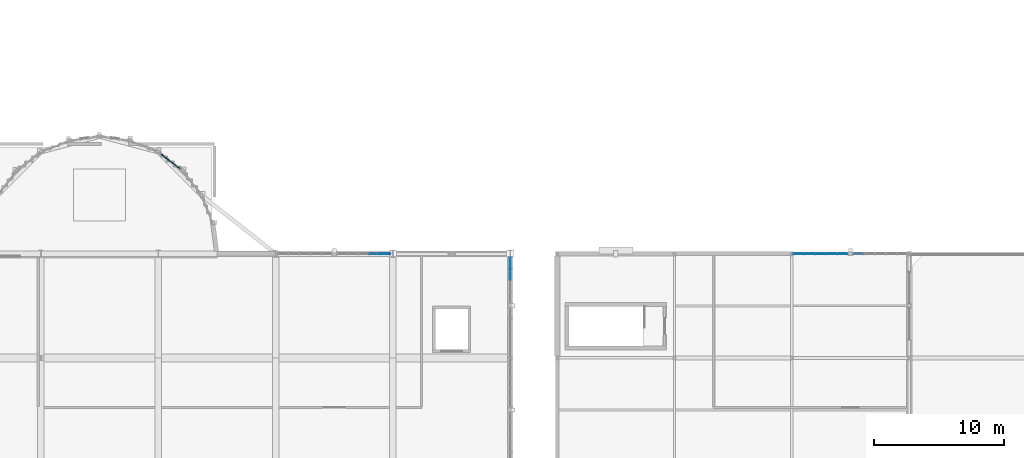
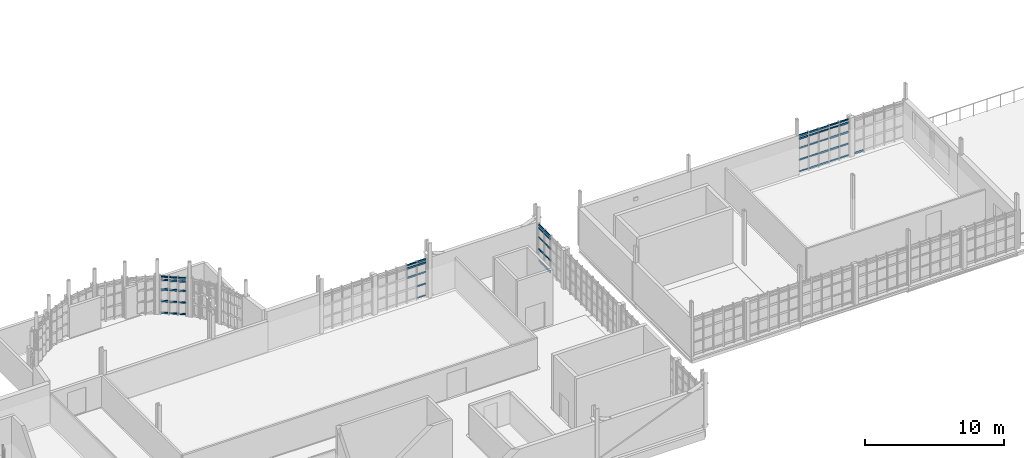
# One storey, part 74 of 128: 59 members, 5 elements without a shape of their own.
"""IFC4 building model written with IfcOpenShell, lengths in metres."""

from ifc_helpers import new_model, si_unit, direction, frame, origin, origin_2d, place, context, subcontext, project, spatial, rectangle, extrude, material, material_profile, profile_set, type_object, element, aggregate, save


model = new_model("IFC4")

# Units and contexts
model_context = context("Model", 3, precision=1e-05, world=origin(), true_north=direction((0.0, 1.0)))
body_context = subcontext(model_context, "Body", "Model", "MODEL_VIEW")
ifc_project = project(units=[si_unit("LENGTHUNIT", "METRE"), si_unit("AREAUNIT", "SQUARE_METRE"), si_unit("VOLUMEUNIT", "CUBIC_METRE"), si_unit("PLANEANGLEUNIT", "RADIAN"), si_unit("MASSUNIT", "GRAM", prefix="KILO")], contexts=[model_context])

# Site, building, storey
site_placement = place(None, origin())
site = spatial("IfcSite", under=ifc_project, at=site_placement, CompositionType="ELEMENT")
building_placement = place(site_placement, origin())
building = spatial("IfcBuilding", under=site, at=building_placement, Name="Serraforn Aerial Cableway Station", CompositionType="ELEMENT")
storey_placement = place(building_placement, frame((0.0, 0.0, 9.0)))
storey = spatial("IfcBuildingStorey", under=building, at=storey_placement, Name="L02", CompositionType="ELEMENT", Elevation=9.0)

# Curtain wall, members
ifc_material_1 = material(Name="Anodised bronze unitised curtain wall")
curtain_wall_type_1 = type_object("IfcCurtainWallType", Name="CW-SYS-25", PredefinedType="USERDEFINED", material=ifc_material_1)
curtain_wall_1_placement = place(storey_placement, origin())
curtain_wall_1 = element("IfcCurtainWall", 1, at=curtain_wall_1_placement, inside=storey, type_object=curtain_wall_type_1, Name="Unitised Curtain Wall CW-CV-L02-N6A", ObjectType="UNITISED CURTAIN WALL", PredefinedType="USERDEFINED")
ifc_material_2 = material(Name="Anodised bronze extruded aluminium", Category="aluminium")
ifc_material_profile_1 = material_profile(ifc_material_2, rectangle(XDim=0.054931640625, YDim=0.110107421875, at=origin_2d()), Name="CW TRANSOM 55x110")
ifc_profile_set_1 = profile_set([ifc_material_profile_1], Name="Anodised bronze extruded aluminium")
member_type_1 = type_object("IfcMemberType", Name="CW-TRN-1", PredefinedType="USERDEFINED", material=ifc_profile_set_1)
member_1_placement = place(storey_placement, frame((81.37890625, 42.0, 0.13671875), z_axis=(-1.0, 0.0, 0.0), x_axis=(0.0, -1.0, 0.0)))
member_1 = element("IfcMember", 2, at=member_1_placement, type_object=member_type_1, Name="Curtain Wall Transom CW-CV-L02-N6A-T1-1", ObjectType="TRANSOM", PredefinedType="USERDEFINED", context=body_context, shape_type="SweptSolid", body=[
    extrude(rectangle(XDim=0.054931640625, YDim=0.110107421875, at=origin_2d()), origin(), (0.0, 0.0, 1.0), 0.73583984375),
])
member_2_placement = place(storey_placement, frame((80.592041015625, 42.0, 3.283203125), z_axis=(-1.0, 0.0, 0.0), x_axis=(0.0, -1.0, 0.0)))
member_2 = element("IfcMember", 3, at=member_2_placement, type_object=member_type_1, Name="Curtain Wall Transom CW-CV-L02-N6A-T2-5", ObjectType="TRANSOM", PredefinedType="USERDEFINED", context=body_context, shape_type="SweptSolid", body=[
    extrude(rectangle(XDim=0.054931640625, YDim=0.110107421875, at=origin_2d()), origin(), (0.0, 0.0, 1.0), 0.78076171875),
])

curtain_wall_type_2 = type_object("IfcCurtainWallType", Name="CW-SYS-4", PredefinedType="USERDEFINED", material=ifc_material_1)
curtain_wall_2_placement = place(storey_placement, origin())
curtain_wall_2 = element("IfcCurtainWall", 4, at=curtain_wall_2_placement, inside=storey, type_object=curtain_wall_type_2, Name="Unitised Curtain Wall CW-CV-L02-E3B", ObjectType="UNITISED CURTAIN WALL", PredefinedType="USERDEFINED")
member_3_placement = place(storey_placement, frame((90.60009765625, 39.986572265625, 1.162841796875), z_axis=(0.0, 1.0, 0.0), x_axis=(-1.0, 0.0, 0.0)))
member_3 = element("IfcMember", 5, at=member_3_placement, type_object=member_type_1, Name="Curtain Wall Transom CW-CV-L02-E3B-T3-2", ObjectType="TRANSOM", PredefinedType="USERDEFINED", context=body_context, shape_type="SweptSolid", body=[
    extrude(rectangle(XDim=0.054931640625, YDim=0.110107421875, at=origin_2d()), origin(), (0.0, 0.0, 1.0), 0.818115234375),
])
member_4_placement = place(storey_placement, frame((90.60009765625, 40.875732421875, 0.13671875), z_axis=(0.0, 1.0, 0.0), x_axis=(-1.0, 0.0, 0.0)))
member_4 = element("IfcMember", 6, at=member_4_placement, type_object=member_type_1, Name="Curtain Wall Transom CW-CV-L02-E3B-T4-1", ObjectType="TRANSOM", PredefinedType="USERDEFINED", context=body_context, shape_type="SweptSolid", body=[
    extrude(rectangle(XDim=0.054931640625, YDim=0.110107421875, at=origin_2d()), origin(), (0.0, 0.0, 1.0), 0.79833984375),
])

curtain_wall_type_3 = type_object("IfcCurtainWallType", Name="CW-SYS-12", PredefinedType="USERDEFINED", material=ifc_material_1)
curtain_wall_3_placement = place(storey_placement, origin())
curtain_wall_3 = element("IfcCurtainWall", 7, at=curtain_wall_3_placement, inside=storey, type_object=curtain_wall_type_3, Name="Unitised Curtain Wall CW-AP-L02-R9", ObjectType="UNITISED CURTAIN WALL", PredefinedType="USERDEFINED")
member_5_placement = place(storey_placement, frame((65.255859375, 48.523681640625, 0.13671875), z_axis=(-0.793500799504, 0.608569208214, 0.0), x_axis=(-0.608569208214, -0.793500799504, 0.0)))
member_5 = element("IfcMember", 8, at=member_5_placement, type_object=member_type_1, Name="Curtain Wall Transom CW-AP-L02-R9-T1-1", ObjectType="TRANSOM", PredefinedType="USERDEFINED", context=body_context, shape_type="SweptSolid", body=[
    extrude(rectangle(XDim=0.054931640625, YDim=0.110107421875, at=origin_2d()), origin(), (0.0, 0.0, 1.0), 0.558349609375),
])
member_6_placement = place(storey_placement, frame((64.772216796875, 48.894775390625, 3.283203125), z_axis=(-0.79334569595, 0.608771391178, 0.0), x_axis=(-0.608771391178, -0.79334569595, 0.0)))
member_6 = element("IfcMember", 9, at=member_6_placement, type_object=member_type_1, Name="Curtain Wall Transom CW-AP-L02-R9-T2-5", ObjectType="TRANSOM", PredefinedType="USERDEFINED", context=body_context, shape_type="SweptSolid", body=[
    extrude(rectangle(XDim=0.054931640625, YDim=0.110107421875, at=origin_2d()), origin(), (0.0, 0.0, 1.0), 0.603271484375),
])
member_7_placement = place(storey_placement, frame((64.249267578125, 49.296142578125, 3.009521484375), z_axis=(-0.79358552413, 0.6084587216, 0.0), x_axis=(-0.6084587216, -0.79358552413, 0.0)))
member_7 = element("IfcMember", 10, at=member_7_placement, type_object=member_type_1, Name="Curtain Wall Transom CW-AP-L02-R9-T3-4", ObjectType="TRANSOM", PredefinedType="USERDEFINED", context=body_context, shape_type="SweptSolid", body=[
    extrude(rectangle(XDim=0.054931640625, YDim=0.110107421875, at=origin_2d()), origin(), (0.0, 0.0, 1.0), 0.565673828125),
])

curtain_wall_type_4 = type_object("IfcCurtainWallType", Name="CW-SYS-2", PredefinedType="USERDEFINED", material=ifc_material_1)
curtain_wall_4_placement = place(storey_placement, origin())
curtain_wall_4 = element("IfcCurtainWall", 11, at=curtain_wall_4_placement, inside=storey, type_object=curtain_wall_type_4, Name="Unitised Curtain Wall CW-EL-L02-N3B", ObjectType="UNITISED CURTAIN WALL", PredefinedType="USERDEFINED")
member_8_placement = place(storey_placement, frame((116.467041015625, 42.0, 3.283203125), z_axis=(-1.0, 0.0, 0.0), x_axis=(0.0, -1.0, 0.0)))
member_8 = element("IfcMember", 12, at=member_8_placement, type_object=member_type_1, Name="Curtain Wall Transom CW-EL-L02-N3B-T1-5", ObjectType="TRANSOM", PredefinedType="USERDEFINED", context=body_context, shape_type="SweptSolid", body=[
    extrude(rectangle(XDim=0.054931640625, YDim=0.110107421875, at=origin_2d()), origin(), (0.0, 0.0, 1.0), 0.763427734375),
])
member_9_placement = place(storey_placement, frame((115.647705078125, 42.0, 3.009521484375), z_axis=(-1.0, 0.0, 0.0), x_axis=(0.0, -1.0, 0.0)))
member_9 = element("IfcMember", 13, at=member_9_placement, type_object=member_type_1, Name="Curtain Wall Transom CW-EL-L02-N3B-T2-4", ObjectType="TRANSOM", PredefinedType="USERDEFINED", context=body_context, shape_type="SweptSolid", body=[
    extrude(rectangle(XDim=0.054931640625, YDim=0.110107421875, at=origin_2d()), origin(), (0.0, 0.0, 1.0), 0.785888671875),
])
member_10_placement = place(storey_placement, frame((114.80078125, 42.0, 2.188720703125), z_axis=(-1.0, 0.0, 0.0), x_axis=(0.0, -1.0, 0.0)))
member_10 = element("IfcMember", 14, at=member_10_placement, type_object=member_type_1, Name="Curtain Wall Transom CW-EL-L02-N3B-T3-3", ObjectType="TRANSOM", PredefinedType="USERDEFINED", context=body_context, shape_type="SweptSolid", body=[
    extrude(rectangle(XDim=0.054931640625, YDim=0.110107421875, at=origin_2d()), origin(), (0.0, 0.0, 1.0), 0.781005859375),
])
member_11_placement = place(storey_placement, frame((113.953857421875, 42.0, 1.162841796875), z_axis=(-1.0, 0.0, 0.0), x_axis=(0.0, -1.0, 0.0)))
member_11 = element("IfcMember", 15, at=member_11_placement, type_object=member_type_1, Name="Curtain Wall Transom CW-EL-L02-N3B-T4-2", ObjectType="TRANSOM", PredefinedType="USERDEFINED", context=body_context, shape_type="SweptSolid", body=[
    extrude(rectangle(XDim=0.054931640625, YDim=0.110107421875, at=origin_2d()), origin(), (0.0, 0.0, 1.0), 0.77587890625),
])
member_12_placement = place(storey_placement, frame((113.10693359375, 42.0, 0.13671875), z_axis=(-1.0, 0.0, 0.0), x_axis=(0.0, -1.0, 0.0)))
member_12 = element("IfcMember", 16, at=member_12_placement, type_object=member_type_1, Name="Curtain Wall Transom CW-EL-L02-N3B-T5-1", ObjectType="TRANSOM", PredefinedType="USERDEFINED", context=body_context, shape_type="SweptSolid", body=[
    extrude(rectangle(XDim=0.054931640625, YDim=0.110107421875, at=origin_2d()), origin(), (0.0, 0.0, 1.0), 0.755859375),
])

# Member
ifc_material_profile_2 = material_profile(ifc_material_2, rectangle(XDim=0.06005859375, YDim=0.1201171875, at=origin_2d()), Name="CW TRANSOM 60x120")
ifc_profile_set_2 = profile_set([ifc_material_profile_2], Name="Anodised bronze extruded aluminium")
member_type_2 = type_object("IfcMemberType", Name="CW-TRN-2", PredefinedType="USERDEFINED", material=ifc_profile_set_2)
member_13_placement = place(storey_placement, frame((81.37890625, 42.0, 1.162841796875), z_axis=(-1.0, 0.0, 0.0), x_axis=(0.0, -1.0, 0.0)))
member_13 = element("IfcMember", 17, at=member_13_placement, type_object=member_type_2, Name="Curtain Wall Transom CW-CV-L02-N6A-T1-2", ObjectType="TRANSOM", PredefinedType="USERDEFINED", context=body_context, shape_type="SweptSolid", body=[
    extrude(rectangle(XDim=0.06005859375, YDim=0.1201171875, at=origin_2d()), origin(), (0.0, 0.0, 1.0), 0.73583984375),
])

member_14_placement = place(storey_placement, frame((90.60009765625, 39.986572265625, 2.188720703125), z_axis=(0.0, 1.0, 0.0), x_axis=(-1.0, 0.0, 0.0)))
member_14 = element("IfcMember", 18, at=member_14_placement, type_object=member_type_2, Name="Curtain Wall Transom CW-CV-L02-E3B-T3-3", ObjectType="TRANSOM", PredefinedType="USERDEFINED", context=body_context, shape_type="SweptSolid", body=[
    extrude(rectangle(XDim=0.06005859375, YDim=0.1201171875, at=origin_2d()), origin(), (0.0, 0.0, 1.0), 0.818115234375),
])

member_15_placement = place(storey_placement, frame((90.60009765625, 40.875732421875, 1.162841796875), z_axis=(0.0, 1.0, 0.0), x_axis=(-1.0, 0.0, 0.0)))
member_15 = element("IfcMember", 19, at=member_15_placement, type_object=member_type_2, Name="Curtain Wall Transom CW-CV-L02-E3B-T4-2", ObjectType="TRANSOM", PredefinedType="USERDEFINED", context=body_context, shape_type="SweptSolid", body=[
    extrude(rectangle(XDim=0.06005859375, YDim=0.1201171875, at=origin_2d()), origin(), (0.0, 0.0, 1.0), 0.79833984375),
])

member_16_placement = place(storey_placement, frame((65.255859375, 48.523681640625, 1.162841796875), z_axis=(-0.793500799504, 0.608569208214, 0.0), x_axis=(-0.608569208214, -0.793500799504, 0.0)))
member_16 = element("IfcMember", 20, at=member_16_placement, type_object=member_type_2, Name="Curtain Wall Transom CW-AP-L02-R9-T1-2", ObjectType="TRANSOM", PredefinedType="USERDEFINED", context=body_context, shape_type="SweptSolid", body=[
    extrude(rectangle(XDim=0.06005859375, YDim=0.1201171875, at=origin_2d()), origin(), (0.0, 0.0, 1.0), 0.558349609375),
])

member_17_placement = place(storey_placement, frame((64.772216796875, 48.894775390625, 0.13671875), z_axis=(-0.79334569595, 0.608771391178, 0.0), x_axis=(-0.608771391178, -0.79334569595, 0.0)))
member_17 = element("IfcMember", 21, at=member_17_placement, type_object=member_type_2, Name="Curtain Wall Transom CW-AP-L02-R9-T2-1", ObjectType="TRANSOM", PredefinedType="USERDEFINED", context=body_context, shape_type="SweptSolid", body=[
    extrude(rectangle(XDim=0.06005859375, YDim=0.1201171875, at=origin_2d()), origin(), (0.0, 0.0, 1.0), 0.603271484375),
])

member_18_placement = place(storey_placement, frame((64.249267578125, 49.296142578125, 3.283203125), z_axis=(-0.79358552413, 0.6084587216, 0.0), x_axis=(-0.6084587216, -0.79358552413, 0.0)))
member_18 = element("IfcMember", 22, at=member_18_placement, type_object=member_type_2, Name="Curtain Wall Transom CW-AP-L02-R9-T3-5", ObjectType="TRANSOM", PredefinedType="USERDEFINED", context=body_context, shape_type="SweptSolid", body=[
    extrude(rectangle(XDim=0.06005859375, YDim=0.1201171875, at=origin_2d()), origin(), (0.0, 0.0, 1.0), 0.565673828125),
])

member_19_placement = place(storey_placement, frame((116.467041015625, 42.0, 0.13671875), z_axis=(-1.0, 0.0, 0.0), x_axis=(0.0, -1.0, 0.0)))
member_19 = element("IfcMember", 23, at=member_19_placement, type_object=member_type_2, Name="Curtain Wall Transom CW-EL-L02-N3B-T1-1", ObjectType="TRANSOM", PredefinedType="USERDEFINED", context=body_context, shape_type="SweptSolid", body=[
    extrude(rectangle(XDim=0.06005859375, YDim=0.1201171875, at=origin_2d()), origin(), (0.0, 0.0, 1.0), 0.763427734375),
])

member_20_placement = place(storey_placement, frame((115.647705078125, 42.0, 3.283203125), z_axis=(-1.0, 0.0, 0.0), x_axis=(0.0, -1.0, 0.0)))
member_20 = element("IfcMember", 24, at=member_20_placement, type_object=member_type_2, Name="Curtain Wall Transom CW-EL-L02-N3B-T2-5", ObjectType="TRANSOM", PredefinedType="USERDEFINED", context=body_context, shape_type="SweptSolid", body=[
    extrude(rectangle(XDim=0.06005859375, YDim=0.1201171875, at=origin_2d()), origin(), (0.0, 0.0, 1.0), 0.785888671875),
])

member_21_placement = place(storey_placement, frame((114.80078125, 42.0, 3.009521484375), z_axis=(-1.0, 0.0, 0.0), x_axis=(0.0, -1.0, 0.0)))
member_21 = element("IfcMember", 25, at=member_21_placement, type_object=member_type_2, Name="Curtain Wall Transom CW-EL-L02-N3B-T3-4", ObjectType="TRANSOM", PredefinedType="USERDEFINED", context=body_context, shape_type="SweptSolid", body=[
    extrude(rectangle(XDim=0.06005859375, YDim=0.1201171875, at=origin_2d()), origin(), (0.0, 0.0, 1.0), 0.781005859375),
])

member_22_placement = place(storey_placement, frame((113.953857421875, 42.0, 2.188720703125), z_axis=(-1.0, 0.0, 0.0), x_axis=(0.0, -1.0, 0.0)))
member_22 = element("IfcMember", 26, at=member_22_placement, type_object=member_type_2, Name="Curtain Wall Transom CW-EL-L02-N3B-T4-3", ObjectType="TRANSOM", PredefinedType="USERDEFINED", context=body_context, shape_type="SweptSolid", body=[
    extrude(rectangle(XDim=0.06005859375, YDim=0.1201171875, at=origin_2d()), origin(), (0.0, 0.0, 1.0), 0.77587890625),
])

member_23_placement = place(storey_placement, frame((113.10693359375, 42.0, 1.162841796875), z_axis=(-1.0, 0.0, 0.0), x_axis=(0.0, -1.0, 0.0)))
member_23 = element("IfcMember", 27, at=member_23_placement, type_object=member_type_2, Name="Curtain Wall Transom CW-EL-L02-N3B-T5-2", ObjectType="TRANSOM", PredefinedType="USERDEFINED", context=body_context, shape_type="SweptSolid", body=[
    extrude(rectangle(XDim=0.06005859375, YDim=0.1201171875, at=origin_2d()), origin(), (0.0, 0.0, 1.0), 0.755859375),
])

ifc_material_profile_3 = material_profile(ifc_material_2, rectangle(XDim=0.06494140625, YDim=0.135009765625, at=origin_2d()), Name="CW TRANSOM 65x135")
ifc_profile_set_3 = profile_set([ifc_material_profile_3], Name="Anodised bronze extruded aluminium")
member_type_3 = type_object("IfcMemberType", Name="CW-TRN-3", PredefinedType="USERDEFINED", material=ifc_profile_set_3)
member_24_placement = place(storey_placement, frame((81.37890625, 42.0, 2.188720703125), z_axis=(-1.0, 0.0, 0.0), x_axis=(0.0, -1.0, 0.0)))
member_24 = element("IfcMember", 28, at=member_24_placement, type_object=member_type_3, Name="Curtain Wall Transom CW-CV-L02-N6A-T1-3", ObjectType="TRANSOM", PredefinedType="USERDEFINED", context=body_context, shape_type="SweptSolid", body=[
    extrude(rectangle(XDim=0.06494140625, YDim=0.135009765625, at=origin_2d()), origin(), (0.0, 0.0, 1.0), 0.73583984375),
])

member_25_placement = place(storey_placement, frame((90.60009765625, 39.986572265625, 3.009521484375), z_axis=(0.0, 1.0, 0.0), x_axis=(-1.0, 0.0, 0.0)))
member_25 = element("IfcMember", 29, at=member_25_placement, type_object=member_type_3, Name="Curtain Wall Transom CW-CV-L02-E3B-T3-4", ObjectType="TRANSOM", PredefinedType="USERDEFINED", context=body_context, shape_type="SweptSolid", body=[
    extrude(rectangle(XDim=0.06494140625, YDim=0.135009765625, at=origin_2d()), origin(), (0.0, 0.0, 1.0), 0.818115234375),
])

member_26_placement = place(storey_placement, frame((90.60009765625, 40.875732421875, 2.188720703125), z_axis=(0.0, 1.0, 0.0), x_axis=(-1.0, 0.0, 0.0)))
member_26 = element("IfcMember", 30, at=member_26_placement, type_object=member_type_3, Name="Curtain Wall Transom CW-CV-L02-E3B-T4-3", ObjectType="TRANSOM", PredefinedType="USERDEFINED", context=body_context, shape_type="SweptSolid", body=[
    extrude(rectangle(XDim=0.06494140625, YDim=0.135009765625, at=origin_2d()), origin(), (0.0, 0.0, 1.0), 0.79833984375),
])

member_27_placement = place(storey_placement, frame((65.255859375, 48.523681640625, 2.188720703125), z_axis=(-0.793500799504, 0.608569208214, 0.0), x_axis=(-0.608569208214, -0.793500799504, 0.0)))
member_27 = element("IfcMember", 31, at=member_27_placement, type_object=member_type_3, Name="Curtain Wall Transom CW-AP-L02-R9-T1-3", ObjectType="TRANSOM", PredefinedType="USERDEFINED", context=body_context, shape_type="SweptSolid", body=[
    extrude(rectangle(XDim=0.06494140625, YDim=0.135009765625, at=origin_2d()), origin(), (0.0, 0.0, 1.0), 0.558349609375),
])

member_28_placement = place(storey_placement, frame((64.772216796875, 48.894775390625, 1.162841796875), z_axis=(-0.79334569595, 0.608771391178, 0.0), x_axis=(-0.608771391178, -0.79334569595, 0.0)))
member_28 = element("IfcMember", 32, at=member_28_placement, type_object=member_type_3, Name="Curtain Wall Transom CW-AP-L02-R9-T2-2", ObjectType="TRANSOM", PredefinedType="USERDEFINED", context=body_context, shape_type="SweptSolid", body=[
    extrude(rectangle(XDim=0.06494140625, YDim=0.135009765625, at=origin_2d()), origin(), (0.0, 0.0, 1.0), 0.603271484375),
])

member_29_placement = place(storey_placement, frame((64.249267578125, 49.296142578125, 0.13671875), z_axis=(-0.79358552413, 0.6084587216, 0.0), x_axis=(-0.6084587216, -0.79358552413, 0.0)))
member_29 = element("IfcMember", 33, at=member_29_placement, type_object=member_type_3, Name="Curtain Wall Transom CW-AP-L02-R9-T3-1", ObjectType="TRANSOM", PredefinedType="USERDEFINED", context=body_context, shape_type="SweptSolid", body=[
    extrude(rectangle(XDim=0.06494140625, YDim=0.135009765625, at=origin_2d()), origin(), (0.0, 0.0, 1.0), 0.565673828125),
])

member_30_placement = place(storey_placement, frame((116.467041015625, 42.0, 1.162841796875), z_axis=(-1.0, 0.0, 0.0), x_axis=(0.0, -1.0, 0.0)))
member_30 = element("IfcMember", 34, at=member_30_placement, type_object=member_type_3, Name="Curtain Wall Transom CW-EL-L02-N3B-T1-2", ObjectType="TRANSOM", PredefinedType="USERDEFINED", context=body_context, shape_type="SweptSolid", body=[
    extrude(rectangle(XDim=0.06494140625, YDim=0.135009765625, at=origin_2d()), origin(), (0.0, 0.0, 1.0), 0.763427734375),
])

member_31_placement = place(storey_placement, frame((115.647705078125, 42.0, 0.13671875), z_axis=(-1.0, 0.0, 0.0), x_axis=(0.0, -1.0, 0.0)))
member_31 = element("IfcMember", 35, at=member_31_placement, type_object=member_type_3, Name="Curtain Wall Transom CW-EL-L02-N3B-T2-1", ObjectType="TRANSOM", PredefinedType="USERDEFINED", context=body_context, shape_type="SweptSolid", body=[
    extrude(rectangle(XDim=0.06494140625, YDim=0.135009765625, at=origin_2d()), origin(), (0.0, 0.0, 1.0), 0.785888671875),
])

member_32_placement = place(storey_placement, frame((114.80078125, 42.0, 3.283203125), z_axis=(-1.0, 0.0, 0.0), x_axis=(0.0, -1.0, 0.0)))
member_32 = element("IfcMember", 36, at=member_32_placement, type_object=member_type_3, Name="Curtain Wall Transom CW-EL-L02-N3B-T3-5", ObjectType="TRANSOM", PredefinedType="USERDEFINED", context=body_context, shape_type="SweptSolid", body=[
    extrude(rectangle(XDim=0.06494140625, YDim=0.135009765625, at=origin_2d()), origin(), (0.0, 0.0, 1.0), 0.781005859375),
])

member_33_placement = place(storey_placement, frame((113.953857421875, 42.0, 3.009521484375), z_axis=(-1.0, 0.0, 0.0), x_axis=(0.0, -1.0, 0.0)))
member_33 = element("IfcMember", 37, at=member_33_placement, type_object=member_type_3, Name="Curtain Wall Transom CW-EL-L02-N3B-T4-4", ObjectType="TRANSOM", PredefinedType="USERDEFINED", context=body_context, shape_type="SweptSolid", body=[
    extrude(rectangle(XDim=0.06494140625, YDim=0.135009765625, at=origin_2d()), origin(), (0.0, 0.0, 1.0), 0.77587890625),
])

member_34_placement = place(storey_placement, frame((113.10693359375, 42.0, 2.188720703125), z_axis=(-1.0, 0.0, 0.0), x_axis=(0.0, -1.0, 0.0)))
member_34 = element("IfcMember", 38, at=member_34_placement, type_object=member_type_3, Name="Curtain Wall Transom CW-EL-L02-N3B-T5-3", ObjectType="TRANSOM", PredefinedType="USERDEFINED", context=body_context, shape_type="SweptSolid", body=[
    extrude(rectangle(XDim=0.06494140625, YDim=0.135009765625, at=origin_2d()), origin(), (0.0, 0.0, 1.0), 0.755859375),
])

ifc_material_profile_4 = material_profile(ifc_material_2, rectangle(XDim=0.070068359375, YDim=0.14990234375, at=origin_2d()), Name="CW TRANSOM 70x150")
ifc_profile_set_4 = profile_set([ifc_material_profile_4], Name="Anodised bronze extruded aluminium")
member_type_4 = type_object("IfcMemberType", Name="CW-TRN-4", PredefinedType="USERDEFINED", material=ifc_profile_set_4)
member_35_placement = place(storey_placement, frame((81.37890625, 42.0, 3.009521484375), z_axis=(-1.0, 0.0, 0.0), x_axis=(0.0, -1.0, 0.0)))
member_35 = element("IfcMember", 39, at=member_35_placement, type_object=member_type_4, Name="Curtain Wall Transom CW-CV-L02-N6A-T1-4", ObjectType="TRANSOM", PredefinedType="USERDEFINED", context=body_context, shape_type="SweptSolid", body=[
    extrude(rectangle(XDim=0.070068359375, YDim=0.14990234375, at=origin_2d()), origin(), (0.0, 0.0, 1.0), 0.73583984375),
])

member_36_placement = place(storey_placement, frame((80.592041015625, 42.0, 2.188720703125), z_axis=(-1.0, 0.0, 0.0), x_axis=(0.0, -1.0, 0.0)))
member_36 = element("IfcMember", 40, at=member_36_placement, type_object=member_type_4, Name="Curtain Wall Transom CW-CV-L02-N6A-T2-3", ObjectType="TRANSOM", PredefinedType="USERDEFINED", context=body_context, shape_type="SweptSolid", body=[
    extrude(rectangle(XDim=0.070068359375, YDim=0.14990234375, at=origin_2d()), origin(), (0.0, 0.0, 1.0), 0.78076171875),
])

member_37_placement = place(storey_placement, frame((90.60009765625, 39.986572265625, 3.283203125), z_axis=(0.0, 1.0, 0.0), x_axis=(-1.0, 0.0, 0.0)))
member_37 = element("IfcMember", 41, at=member_37_placement, type_object=member_type_4, Name="Curtain Wall Transom CW-CV-L02-E3B-T3-5", ObjectType="TRANSOM", PredefinedType="USERDEFINED", context=body_context, shape_type="SweptSolid", body=[
    extrude(rectangle(XDim=0.070068359375, YDim=0.14990234375, at=origin_2d()), origin(), (0.0, 0.0, 1.0), 0.818115234375),
])

member_38_placement = place(storey_placement, frame((90.60009765625, 40.875732421875, 3.009521484375), z_axis=(0.0, 1.0, 0.0), x_axis=(-1.0, 0.0, 0.0)))
member_38 = element("IfcMember", 42, at=member_38_placement, type_object=member_type_4, Name="Curtain Wall Transom CW-CV-L02-E3B-T4-4", ObjectType="TRANSOM", PredefinedType="USERDEFINED", context=body_context, shape_type="SweptSolid", body=[
    extrude(rectangle(XDim=0.070068359375, YDim=0.14990234375, at=origin_2d()), origin(), (0.0, 0.0, 1.0), 0.79833984375),
])

member_39_placement = place(storey_placement, frame((65.255859375, 48.523681640625, 3.009521484375), z_axis=(-0.793500799504, 0.608569208214, 0.0), x_axis=(-0.608569208214, -0.793500799504, 0.0)))
member_39 = element("IfcMember", 43, at=member_39_placement, type_object=member_type_4, Name="Curtain Wall Transom CW-AP-L02-R9-T1-4", ObjectType="TRANSOM", PredefinedType="USERDEFINED", context=body_context, shape_type="SweptSolid", body=[
    extrude(rectangle(XDim=0.070068359375, YDim=0.14990234375, at=origin_2d()), origin(), (0.0, 0.0, 1.0), 0.558349609375),
])

member_40_placement = place(storey_placement, frame((64.772216796875, 48.894775390625, 2.188720703125), z_axis=(-0.79334569595, 0.608771391178, 0.0), x_axis=(-0.608771391178, -0.79334569595, 0.0)))
member_40 = element("IfcMember", 44, at=member_40_placement, type_object=member_type_4, Name="Curtain Wall Transom CW-AP-L02-R9-T2-3", ObjectType="TRANSOM", PredefinedType="USERDEFINED", context=body_context, shape_type="SweptSolid", body=[
    extrude(rectangle(XDim=0.070068359375, YDim=0.14990234375, at=origin_2d()), origin(), (0.0, 0.0, 1.0), 0.603271484375),
])

member_41_placement = place(storey_placement, frame((64.249267578125, 49.296142578125, 1.162841796875), z_axis=(-0.79358552413, 0.6084587216, 0.0), x_axis=(-0.6084587216, -0.79358552413, 0.0)))
member_41 = element("IfcMember", 45, at=member_41_placement, type_object=member_type_4, Name="Curtain Wall Transom CW-AP-L02-R9-T3-2", ObjectType="TRANSOM", PredefinedType="USERDEFINED", context=body_context, shape_type="SweptSolid", body=[
    extrude(rectangle(XDim=0.070068359375, YDim=0.14990234375, at=origin_2d()), origin(), (0.0, 0.0, 1.0), 0.565673828125),
])

member_42_placement = place(storey_placement, frame((116.467041015625, 42.0, 2.188720703125), z_axis=(-1.0, 0.0, 0.0), x_axis=(0.0, -1.0, 0.0)))
member_42 = element("IfcMember", 46, at=member_42_placement, type_object=member_type_4, Name="Curtain Wall Transom CW-EL-L02-N3B-T1-3", ObjectType="TRANSOM", PredefinedType="USERDEFINED", context=body_context, shape_type="SweptSolid", body=[
    extrude(rectangle(XDim=0.070068359375, YDim=0.14990234375, at=origin_2d()), origin(), (0.0, 0.0, 1.0), 0.763427734375),
])

member_43_placement = place(storey_placement, frame((115.647705078125, 42.0, 1.162841796875), z_axis=(-1.0, 0.0, 0.0), x_axis=(0.0, -1.0, 0.0)))
member_43 = element("IfcMember", 47, at=member_43_placement, type_object=member_type_4, Name="Curtain Wall Transom CW-EL-L02-N3B-T2-2", ObjectType="TRANSOM", PredefinedType="USERDEFINED", context=body_context, shape_type="SweptSolid", body=[
    extrude(rectangle(XDim=0.070068359375, YDim=0.14990234375, at=origin_2d()), origin(), (0.0, 0.0, 1.0), 0.785888671875),
])

member_44_placement = place(storey_placement, frame((114.80078125, 42.0, 0.13671875), z_axis=(-1.0, 0.0, 0.0), x_axis=(0.0, -1.0, 0.0)))
member_44 = element("IfcMember", 48, at=member_44_placement, type_object=member_type_4, Name="Curtain Wall Transom CW-EL-L02-N3B-T3-1", ObjectType="TRANSOM", PredefinedType="USERDEFINED", context=body_context, shape_type="SweptSolid", body=[
    extrude(rectangle(XDim=0.070068359375, YDim=0.14990234375, at=origin_2d()), origin(), (0.0, 0.0, 1.0), 0.781005859375),
])

member_45_placement = place(storey_placement, frame((113.953857421875, 42.0, 3.283203125), z_axis=(-1.0, 0.0, 0.0), x_axis=(0.0, -1.0, 0.0)))
member_45 = element("IfcMember", 49, at=member_45_placement, type_object=member_type_4, Name="Curtain Wall Transom CW-EL-L02-N3B-T4-5", ObjectType="TRANSOM", PredefinedType="USERDEFINED", context=body_context, shape_type="SweptSolid", body=[
    extrude(rectangle(XDim=0.070068359375, YDim=0.14990234375, at=origin_2d()), origin(), (0.0, 0.0, 1.0), 0.77587890625),
])

member_46_placement = place(storey_placement, frame((113.10693359375, 42.0, 3.009521484375), z_axis=(-1.0, 0.0, 0.0), x_axis=(0.0, -1.0, 0.0)))
member_46 = element("IfcMember", 50, at=member_46_placement, type_object=member_type_4, Name="Curtain Wall Transom CW-EL-L02-N3B-T5-4", ObjectType="TRANSOM", PredefinedType="USERDEFINED", context=body_context, shape_type="SweptSolid", body=[
    extrude(rectangle(XDim=0.070068359375, YDim=0.14990234375, at=origin_2d()), origin(), (0.0, 0.0, 1.0), 0.755859375),
])

ifc_material_profile_5 = material_profile(ifc_material_2, rectangle(XDim=0.074951171875, YDim=0.1650390625, at=origin_2d()), Name="CW TRANSOM 75x165")
ifc_profile_set_5 = profile_set([ifc_material_profile_5], Name="Anodised bronze extruded aluminium")
member_type_5 = type_object("IfcMemberType", Name="CW-TRN-5", PredefinedType="USERDEFINED", material=ifc_profile_set_5)
member_47_placement = place(storey_placement, frame((81.37890625, 42.0, 3.283203125), z_axis=(-1.0, 0.0, 0.0), x_axis=(0.0, -1.0, 0.0)))
member_47 = element("IfcMember", 51, at=member_47_placement, type_object=member_type_5, Name="Curtain Wall Transom CW-CV-L02-N6A-T1-5", ObjectType="TRANSOM", PredefinedType="USERDEFINED", context=body_context, shape_type="SweptSolid", body=[
    extrude(rectangle(XDim=0.074951171875, YDim=0.1650390625, at=origin_2d()), origin(), (0.0, 0.0, 1.0), 0.73583984375),
])

member_48_placement = place(storey_placement, frame((80.592041015625, 42.0, 3.009521484375), z_axis=(-1.0, 0.0, 0.0), x_axis=(0.0, -1.0, 0.0)))
member_48 = element("IfcMember", 52, at=member_48_placement, type_object=member_type_5, Name="Curtain Wall Transom CW-CV-L02-N6A-T2-4", ObjectType="TRANSOM", PredefinedType="USERDEFINED", context=body_context, shape_type="SweptSolid", body=[
    extrude(rectangle(XDim=0.074951171875, YDim=0.1650390625, at=origin_2d()), origin(), (0.0, 0.0, 1.0), 0.78076171875),
])

aggregate(curtain_wall_1, [member_1, member_13, member_24, member_35, member_47, member_36, member_48, member_2])

member_49_placement = place(storey_placement, frame((90.60009765625, 39.986572265625, 0.13671875), z_axis=(0.0, 1.0, 0.0), x_axis=(-1.0, 0.0, 0.0)))
member_49 = element("IfcMember", 53, at=member_49_placement, type_object=member_type_5, Name="Curtain Wall Transom CW-CV-L02-E3B-T3-1", ObjectType="TRANSOM", PredefinedType="USERDEFINED", context=body_context, shape_type="SweptSolid", body=[
    extrude(rectangle(XDim=0.074951171875, YDim=0.1650390625, at=origin_2d()), origin(), (0.0, 0.0, 1.0), 0.818115234375),
])

member_50_placement = place(storey_placement, frame((90.60009765625, 40.875732421875, 3.283203125), z_axis=(0.0, 1.0, 0.0), x_axis=(-1.0, 0.0, 0.0)))
member_50 = element("IfcMember", 54, at=member_50_placement, type_object=member_type_5, Name="Curtain Wall Transom CW-CV-L02-E3B-T4-5", ObjectType="TRANSOM", PredefinedType="USERDEFINED", context=body_context, shape_type="SweptSolid", body=[
    extrude(rectangle(XDim=0.074951171875, YDim=0.1650390625, at=origin_2d()), origin(), (0.0, 0.0, 1.0), 0.79833984375),
])

aggregate(curtain_wall_2, [member_49, member_3, member_14, member_25, member_37, member_4, member_15, member_26, member_38, member_50])

member_51_placement = place(storey_placement, frame((65.255859375, 48.523681640625, 3.283203125), z_axis=(-0.793500799504, 0.608569208214, 0.0), x_axis=(-0.608569208214, -0.793500799504, 0.0)))
member_51 = element("IfcMember", 55, at=member_51_placement, type_object=member_type_5, Name="Curtain Wall Transom CW-AP-L02-R9-T1-5", ObjectType="TRANSOM", PredefinedType="USERDEFINED", context=body_context, shape_type="SweptSolid", body=[
    extrude(rectangle(XDim=0.074951171875, YDim=0.1650390625, at=origin_2d()), origin(), (0.0, 0.0, 1.0), 0.558349609375),
])

member_52_placement = place(storey_placement, frame((64.772216796875, 48.894775390625, 3.009521484375), z_axis=(-0.79334569595, 0.608771391178, 0.0), x_axis=(-0.608771391178, -0.79334569595, 0.0)))
member_52 = element("IfcMember", 56, at=member_52_placement, type_object=member_type_5, Name="Curtain Wall Transom CW-AP-L02-R9-T2-4", ObjectType="TRANSOM", PredefinedType="USERDEFINED", context=body_context, shape_type="SweptSolid", body=[
    extrude(rectangle(XDim=0.074951171875, YDim=0.1650390625, at=origin_2d()), origin(), (0.0, 0.0, 1.0), 0.603271484375),
])

member_53_placement = place(storey_placement, frame((64.249267578125, 49.296142578125, 2.188720703125), z_axis=(-0.79358552413, 0.6084587216, 0.0), x_axis=(-0.6084587216, -0.79358552413, 0.0)))
member_53 = element("IfcMember", 57, at=member_53_placement, type_object=member_type_5, Name="Curtain Wall Transom CW-AP-L02-R9-T3-3", ObjectType="TRANSOM", PredefinedType="USERDEFINED", context=body_context, shape_type="SweptSolid", body=[
    extrude(rectangle(XDim=0.074951171875, YDim=0.1650390625, at=origin_2d()), origin(), (0.0, 0.0, 1.0), 0.565673828125),
])

aggregate(curtain_wall_3, [member_5, member_16, member_27, member_39, member_51, member_17, member_28, member_40, member_52, member_6, member_29, member_41, member_53, member_7, member_18])

# Curtain wall, member
curtain_wall_type_5 = type_object("IfcCurtainWallType", Name="CW-SYS-1", PredefinedType="USERDEFINED", material=ifc_material_1)
curtain_wall_5_placement = place(storey_placement, origin())
curtain_wall_5 = element("IfcCurtainWall", 58, at=curtain_wall_5_placement, inside=storey, type_object=curtain_wall_type_5, Name="Unitised Curtain Wall CW-EL-L02-N3A", ObjectType="UNITISED CURTAIN WALL", PredefinedType="USERDEFINED")
member_54_placement = place(storey_placement, frame((117.69140625, 42.0, 0.13671875), z_axis=(-1.0, 0.0, 0.0), x_axis=(0.0, -1.0, 0.0)))
member_54 = element("IfcMember", 59, at=member_54_placement, type_object=member_type_5, Name="Curtain Wall Transom CW-EL-L02-N3A-T5-1", ObjectType="TRANSOM", PredefinedType="USERDEFINED", context=body_context, shape_type="SweptSolid", body=[
    extrude(rectangle(XDim=0.074951171875, YDim=0.1650390625, at=origin_2d()), origin(), (0.0, 0.0, 1.0), 0.738525390625),
])
aggregate(curtain_wall_5, [member_54])

# Member
member_55_placement = place(storey_placement, frame((116.467041015625, 42.0, 3.009521484375), z_axis=(-1.0, 0.0, 0.0), x_axis=(0.0, -1.0, 0.0)))
member_55 = element("IfcMember", 60, at=member_55_placement, type_object=member_type_5, Name="Curtain Wall Transom CW-EL-L02-N3B-T1-4", ObjectType="TRANSOM", PredefinedType="USERDEFINED", context=body_context, shape_type="SweptSolid", body=[
    extrude(rectangle(XDim=0.074951171875, YDim=0.1650390625, at=origin_2d()), origin(), (0.0, 0.0, 1.0), 0.763427734375),
])

member_56_placement = place(storey_placement, frame((115.647705078125, 42.0, 2.188720703125), z_axis=(-1.0, 0.0, 0.0), x_axis=(0.0, -1.0, 0.0)))
member_56 = element("IfcMember", 61, at=member_56_placement, type_object=member_type_5, Name="Curtain Wall Transom CW-EL-L02-N3B-T2-3", ObjectType="TRANSOM", PredefinedType="USERDEFINED", context=body_context, shape_type="SweptSolid", body=[
    extrude(rectangle(XDim=0.074951171875, YDim=0.1650390625, at=origin_2d()), origin(), (0.0, 0.0, 1.0), 0.785888671875),
])

member_57_placement = place(storey_placement, frame((114.80078125, 42.0, 1.162841796875), z_axis=(-1.0, 0.0, 0.0), x_axis=(0.0, -1.0, 0.0)))
member_57 = element("IfcMember", 62, at=member_57_placement, type_object=member_type_5, Name="Curtain Wall Transom CW-EL-L02-N3B-T3-2", ObjectType="TRANSOM", PredefinedType="USERDEFINED", context=body_context, shape_type="SweptSolid", body=[
    extrude(rectangle(XDim=0.074951171875, YDim=0.1650390625, at=origin_2d()), origin(), (0.0, 0.0, 1.0), 0.781005859375),
])

member_58_placement = place(storey_placement, frame((113.953857421875, 42.0, 0.13671875), z_axis=(-1.0, 0.0, 0.0), x_axis=(0.0, -1.0, 0.0)))
member_58 = element("IfcMember", 63, at=member_58_placement, type_object=member_type_5, Name="Curtain Wall Transom CW-EL-L02-N3B-T4-1", ObjectType="TRANSOM", PredefinedType="USERDEFINED", context=body_context, shape_type="SweptSolid", body=[
    extrude(rectangle(XDim=0.074951171875, YDim=0.1650390625, at=origin_2d()), origin(), (0.0, 0.0, 1.0), 0.77587890625),
])

member_59_placement = place(storey_placement, frame((113.10693359375, 42.0, 3.283203125), z_axis=(-1.0, 0.0, 0.0), x_axis=(0.0, -1.0, 0.0)))
member_59 = element("IfcMember", 64, at=member_59_placement, type_object=member_type_5, Name="Curtain Wall Transom CW-EL-L02-N3B-T5-5", ObjectType="TRANSOM", PredefinedType="USERDEFINED", context=body_context, shape_type="SweptSolid", body=[
    extrude(rectangle(XDim=0.074951171875, YDim=0.1650390625, at=origin_2d()), origin(), (0.0, 0.0, 1.0), 0.755859375),
])

aggregate(curtain_wall_4, [member_19, member_30, member_42, member_55, member_8, member_31, member_43, member_56, member_9, member_20, member_44, member_57, member_10, member_21, member_32, member_58, member_11, member_22, member_33, member_45, member_12, member_23, member_34, member_46, member_59])

save(model, "model.ifc")
